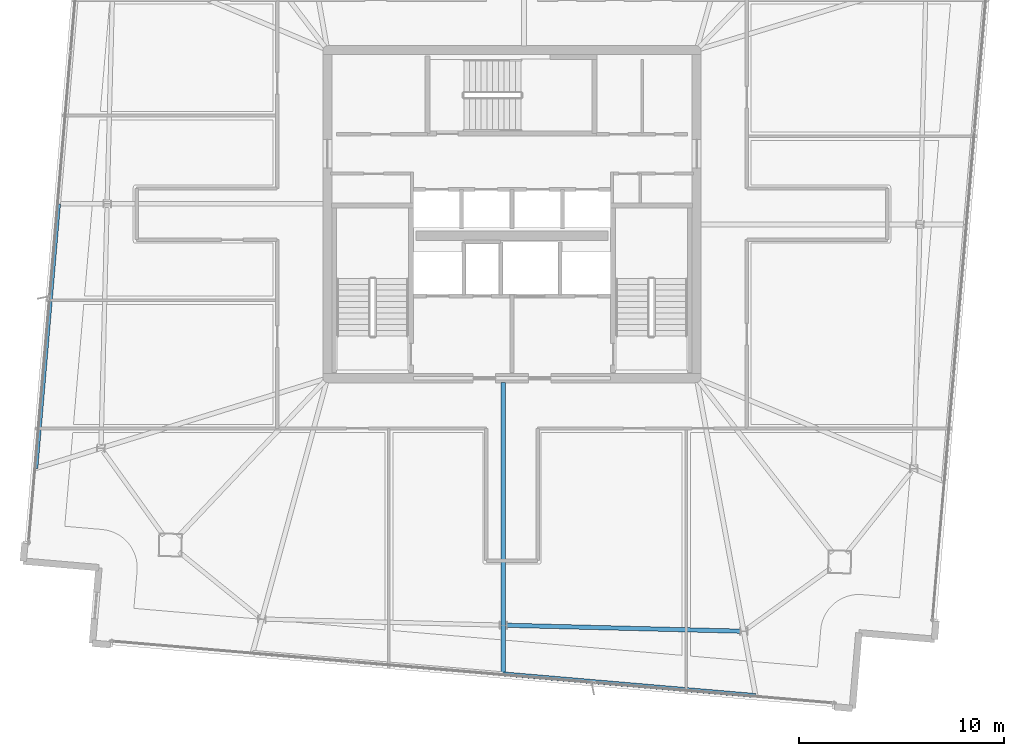
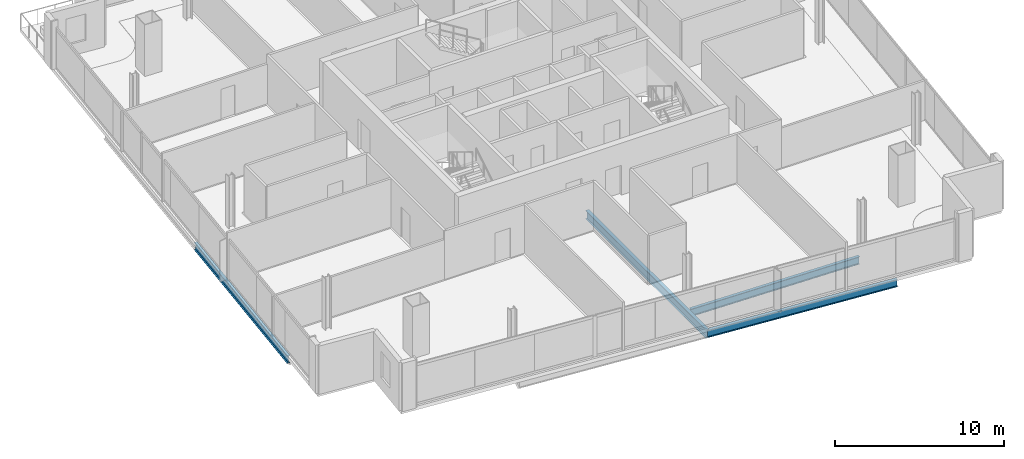
# One storey, part 5 of 24: 4 beams.
"""IFC4 building model written with IfcOpenShell, lengths in metres."""

from ifc_helpers import new_model, si_unit, direction, frame, origin, origin_2d, place, context, subcontext, project, spatial, i_section, extrude, material, material_profile, profile_set, type_object, element, save


model = new_model("IFC4")

# Units and contexts
model_context = context("Model", 3, precision=1e-05, world=origin(), true_north=direction((0.0, 1.0)))
body_context = subcontext(model_context, "Body", "Model", "MODEL_VIEW")
ifc_project = project(units=[si_unit("LENGTHUNIT", "METRE"), si_unit("AREAUNIT", "SQUARE_METRE"), si_unit("VOLUMEUNIT", "CUBIC_METRE"), si_unit("PLANEANGLEUNIT", "RADIAN"), si_unit("MASSUNIT", "GRAM", prefix="KILO")], contexts=[model_context])

# Site, building, storey
site_placement = place(None, origin())
site = spatial("IfcSite", under=ifc_project, at=site_placement, CompositionType="ELEMENT")
building_placement = place(site_placement, origin())
building = spatial("IfcBuilding", under=site, at=building_placement, Name="Haldenkirk Collegiate Tower", CompositionType="ELEMENT")
storey_placement = place(building_placement, frame((0.0, 0.0, 313.949951171875)))
storey = spatial("IfcBuildingStorey", under=building, at=storey_placement, Name="L79", CompositionType="ELEMENT", Elevation=313.949951171875)

# Beams
ifc_material = material(Name="Steel ASTM A992 Grade 50", Category="steel")
ifc_material_profile_1 = material_profile(ifc_material, i_section(OverallWidth=0.22998046875, OverallDepth=0.616943359375, WebThickness=0.01318359375, FlangeThickness=0.022216796875, at=origin_2d()), Name="W24X94")
ifc_profile_set_1 = profile_set([ifc_material_profile_1], Name="Steel ASTM A992 Grade 50")
beam_type_1 = type_object("IfcBeamType", Name="BM-GIRDER-W24X94", PredefinedType="BEAM", material=ifc_profile_set_1)
beam_1_placement = place(storey_placement, frame((35.567626953125, 3.574951171875, -0.568359375), z_axis=(0.0, 1.0, 0.0), x_axis=(-1.0, 0.0, 0.0)))
element("IfcBeam", 1, at=beam_1_placement, inside=storey, type_object=beam_type_1, Name="L79 primary floor girder 15", PredefinedType="BEAM", context=body_context, shape_type="SweptSolid", body=[
    extrude(i_section(OverallWidth=0.22998046875, OverallDepth=0.616943359375, WebThickness=0.01318359375, FlangeThickness=0.022216796875, at=origin_2d()), origin(), (0.0, 0.0, 1.0), 14.219970703125),
])
ifc_material_profile_2 = material_profile(ifc_material, i_section(OverallWidth=0.2099609375, OverallDepth=0.537109375, WebThickness=0.010986328125, FlangeThickness=0.017333984375, at=origin_2d()), Name="W21X68")
ifc_profile_set_2 = profile_set([ifc_material_profile_2], Name="Steel ASTM A992 Grade 50")
beam_type_2 = type_object("IfcBeamType", Name="BM-SPANDREL-W21X68", PredefinedType="SPANDREL", material=ifc_profile_set_2)
beam_2_placement = place(storey_placement, frame((35.755615234375, 5.94970703125, -0.528564453125), z_axis=(0.999679850822, -0.025302092003, 0.0), x_axis=(0.025302092003, 0.999679850822, 0.0)))
element("IfcBeam", 2, at=beam_2_placement, inside=storey, type_object=beam_type_2, Name="L79 perimeter spandrel beam 15", PredefinedType="SPANDREL", context=body_context, shape_type="SweptSolid", body=[
    extrude(i_section(OverallWidth=0.2099609375, OverallDepth=0.537109375, WebThickness=0.010986328125, FlangeThickness=0.017333984375, at=origin_2d()), origin(), (0.0, 0.0, 1.0), 11.35693359375),
])
beam_3_placement = place(storey_placement, frame((13.8818359375, 26.499755859375, -0.528564453125), z_axis=(-0.085421474126, -0.996344906023, 0.0), x_axis=(0.996344906023, -0.085421474126, 0.0)))
element("IfcBeam", 3, at=beam_3_placement, inside=storey, type_object=beam_type_2, Name="L79 outer facade edge beam 3B", PredefinedType="SPANDREL", context=body_context, shape_type="SweptSolid", body=[
    extrude(i_section(OverallWidth=0.2099609375, OverallDepth=0.537109375, WebThickness=0.010986328125, FlangeThickness=0.017333984375, at=origin_2d()), origin(), (0.0, 0.0, 1.0), 12.94140625),
])
beam_4_placement = place(storey_placement, frame((35.567626953125, 3.574951171875, -0.528564453125), z_axis=(0.99634496791, -0.08542075228, 0.0), x_axis=(0.08542075228, 0.99634496791, 0.0)))
element("IfcBeam", 4, at=beam_4_placement, inside=storey, type_object=beam_type_2, Name="L79 outer facade edge beam 4B", PredefinedType="SPANDREL", context=body_context, shape_type="SweptSolid", body=[
    extrude(i_section(OverallWidth=0.2099609375, OverallDepth=0.537109375, WebThickness=0.010986328125, FlangeThickness=0.017333984375, at=origin_2d()), origin(), (0.0, 0.0, 1.0), 12.3583984375),
])

save(model, "model.ifc")
